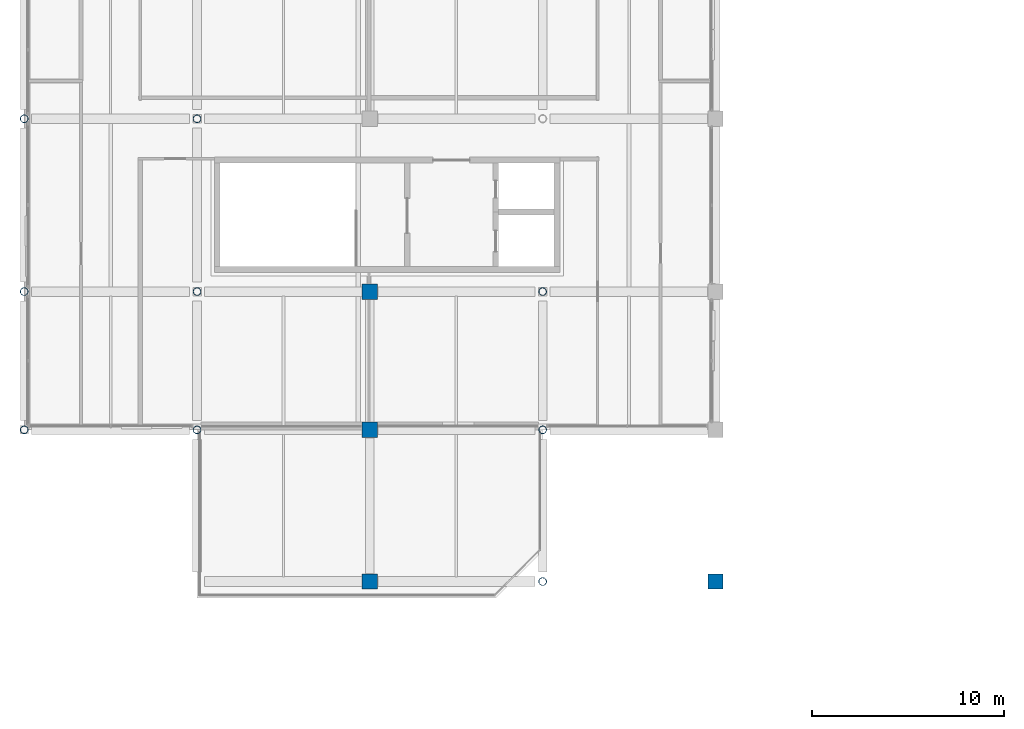
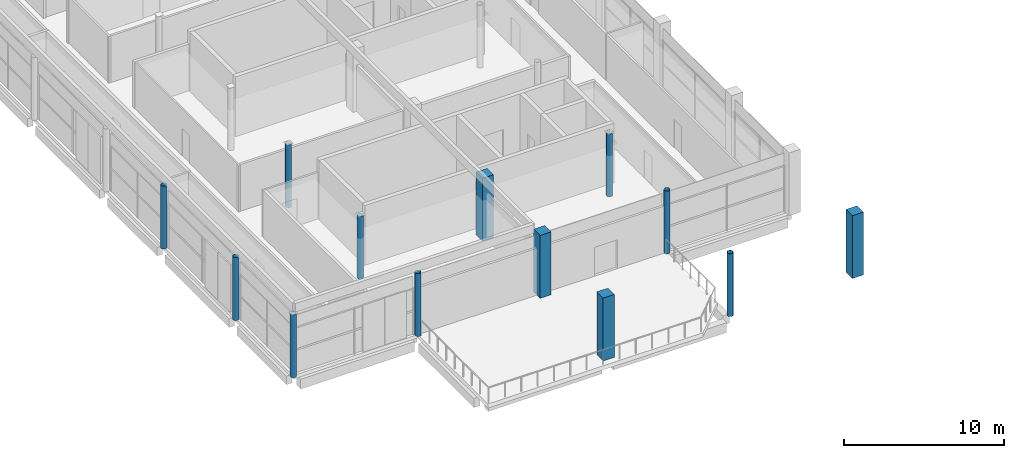
# One storey, part 1 of 114: 13 columns.
"""IFC4 building model written with IfcOpenShell, lengths in metres."""

from ifc_helpers import new_model, si_unit, direction, frame, origin, origin_2d, place, context, subcontext, project, spatial, rectangle, hollow_circle, extrude, material, material_profile, profile_set, type_object, element, save


model = new_model("IFC4")

# Units and contexts
model_context = context("Model", 3, precision=1e-05, world=origin(), true_north=direction((0.0, 1.0)))
body_context = subcontext(model_context, "Body", "Model", "MODEL_VIEW")
ifc_project = project(units=[si_unit("LENGTHUNIT", "METRE"), si_unit("AREAUNIT", "SQUARE_METRE"), si_unit("VOLUMEUNIT", "CUBIC_METRE"), si_unit("PLANEANGLEUNIT", "RADIAN"), si_unit("MASSUNIT", "GRAM", prefix="KILO"), si_unit("THERMODYNAMICTEMPERATUREUNIT", "KELVIN"), si_unit("POWERUNIT", "WATT")], contexts=[model_context])

# Site, building, storey
site_placement = place(None, origin())
site = spatial("IfcSite", under=ifc_project, at=site_placement, CompositionType="ELEMENT")
building_placement = place(site_placement, origin())
building = spatial("IfcBuilding", under=site, at=building_placement, Name="Sindhuravela Promenade Stadium", CompositionType="ELEMENT")
storey_placement = place(building_placement, frame((0.0, 0.0, 24.0)))
storey = spatial("IfcBuildingStorey", under=building, at=storey_placement, Name="L05", CompositionType="ELEMENT", Elevation=24.0)

# Columns
ifc_material_1 = material(Name="Concrete M40", Category="concrete")
ifc_material_profile_1 = material_profile(ifc_material_1, rectangle(XDim=0.800048828125, YDim=0.800048828125, at=origin_2d()), Name="RC 800x800")
ifc_profile_set_1 = profile_set([ifc_material_profile_1], Name="Concrete M40")
column_type_1 = type_object("IfcColumnType", Name="RC-CL-800x800", PredefinedType="COLUMN", material=ifc_profile_set_1)
for number, where, z_axis, x_axis, name in (
    (1, (18.0, 37.10009765625, 0.0), (0.0, 0.0, 1.0), (1.0, 0.0, 0.0), "Column C11 WEST L05"),
    (2, (18.0, 45.0, 0.0), (0.0, 0.0, 1.0), (1.0, 0.0, 0.0), "Column C11 WEST L05"),
    (3, (18.0, 52.199951171875, 0.0), (0.0, 0.0, 1.0), (1.0, 0.0, 0.0), "Column C11 WEST L05"),
    (4, (36.0, 37.10009765625, 0.0), (0.0, 0.0, 1.0), (1.0, 0.0, 0.0), "Column C11 WEST L05"),
):
    element("IfcColumn", number, at=place(storey_placement, frame(where, z_axis=z_axis, x_axis=x_axis)), inside=storey, type_object=column_type_1, Name=name, PredefinedType="COLUMN", context=body_context, shape_type="SweptSolid", body=[
        extrude(rectangle(XDim=0.800048828125, YDim=0.800048828125, at=origin_2d()), origin(), (0.0, 0.0, 1.0), 4.800048828125),
    ])
ifc_material_2 = material(Name="Steel E350 (IS 2062 E350BR)", Category="steel")
ifc_material_profile_2 = material_profile(ifc_material_2, hollow_circle(Radius=0.203125, WallThickness=0.013916015625, at=origin_2d()), Name="CHS 406.4x14")
ifc_profile_set_2 = profile_set([ifc_material_profile_2], Name="Steel E350 (IS 2062 E350BR)")
column_type_2 = type_object("IfcColumnType", Name="ST-CL-CHS406", PredefinedType="COLUMN", material=ifc_profile_set_2)
for number, where, z_axis, x_axis, name in (
    (5, (0.0, 45.0, 0.0), (0.0, 0.0, 1.0), (1.0, 0.0, 0.0), "Column SC05 WEST L05"),
    (6, (0.0, 52.199951171875, 0.0), (0.0, 0.0, 1.0), (1.0, 0.0, 0.0), "Column SC05 WEST L05"),
    (7, (0.0, 61.199951171875, 0.0), (0.0, 0.0, 1.0), (1.0, 0.0, 0.0), "Column SC05 WEST L05"),
    (8, (9.0, 45.0, 0.0), (0.0, 0.0, 1.0), (1.0, 0.0, 0.0), "Column SC05 WEST L05"),
    (9, (9.0, 52.199951171875, 0.0), (0.0, 0.0, 1.0), (1.0, 0.0, 0.0), "Column SC05 WEST L05"),
    (10, (9.0, 61.199951171875, 0.0), (0.0, 0.0, 1.0), (1.0, 0.0, 0.0), "Column SC05 WEST L05"),
    (11, (27.0, 37.10009765625, 0.0), (0.0, 0.0, 1.0), (1.0, 0.0, 0.0), "Column SC05 WEST L05"),
    (12, (27.0, 45.0, 0.0), (0.0, 0.0, 1.0), (1.0, 0.0, 0.0), "Column SC05 WEST L05"),
    (13, (27.0, 52.199951171875, 0.0), (0.0, 0.0, 1.0), (1.0, 0.0, 0.0), "Column SC05 WEST L05"),
):
    element("IfcColumn", number, at=place(storey_placement, frame(where, z_axis=z_axis, x_axis=x_axis)), inside=storey, type_object=column_type_2, Name=name, PredefinedType="COLUMN", context=body_context, shape_type="SweptSolid", body=[
        extrude(hollow_circle(Radius=0.203125, WallThickness=0.013916015625, at=origin_2d()), origin(), (0.0, 0.0, 1.0), 4.800048828125),
    ])

save(model, "model.ifc")
